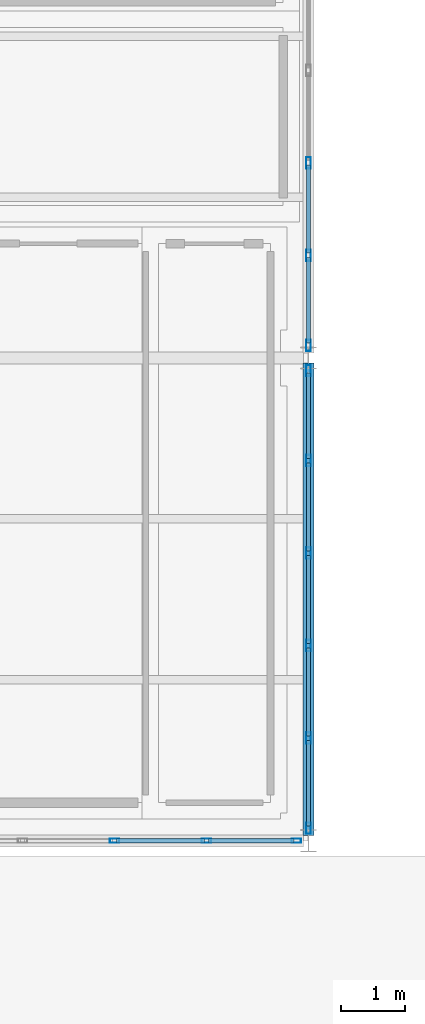
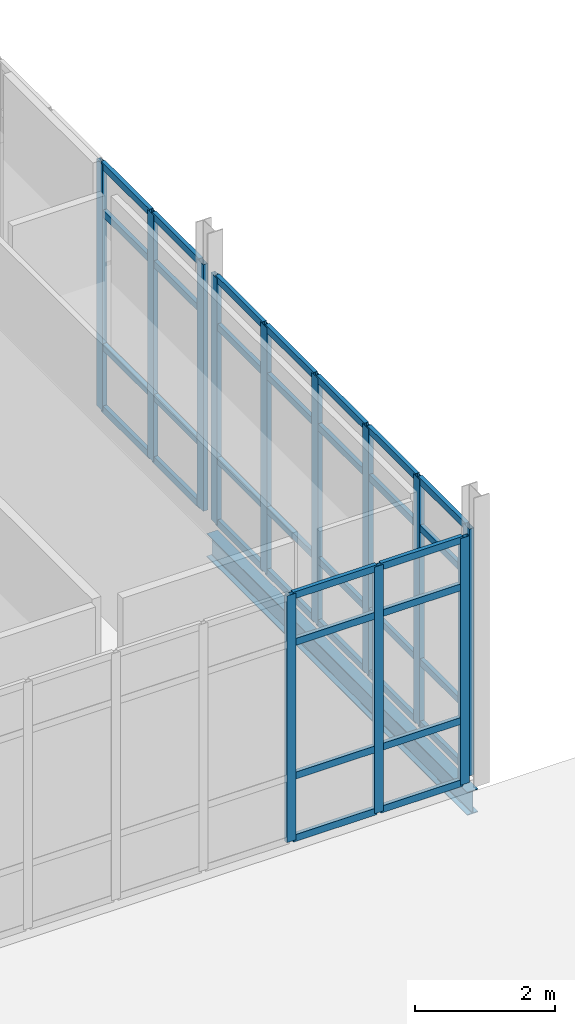
# One storey, part 69 of 161: 48 members, 1 beam, 3 elements without a shape of their own.
"""IFC4 building model written with IfcOpenShell, lengths in metres."""

from ifc_helpers import new_model, si_unit, direction, frame, origin, origin_2d, place, context, subcontext, project, spatial, hollow_rectangle, i_section, extrude, material, material_profile, profile_set, type_object, element, aggregate, save


model = new_model("IFC4")

# Units and contexts
model_context = context("Model", 3, precision=1e-05, world=origin(), true_north=direction((0.0, 1.0)))
body_context = subcontext(model_context, "Body", "Model", "MODEL_VIEW")
ifc_project = project(units=[si_unit("LENGTHUNIT", "METRE"), si_unit("AREAUNIT", "SQUARE_METRE"), si_unit("VOLUMEUNIT", "CUBIC_METRE"), si_unit("PLANEANGLEUNIT", "RADIAN"), si_unit("MASSUNIT", "GRAM", prefix="KILO")], contexts=[model_context])

# Site, building, storey
site_placement = place(None, origin())
site = spatial("IfcSite", under=ifc_project, at=site_placement, CompositionType="ELEMENT")
building_placement = place(site_placement, origin())
building = spatial("IfcBuilding", under=site, at=building_placement, Name="Caisbarro Railhouse Central Library", CompositionType="ELEMENT")
storey_placement = place(building_placement, origin())
storey = spatial("IfcBuildingStorey", under=building, at=storey_placement, Name="L00", CompositionType="ELEMENT", Elevation=0.0)

# Beam
ifc_material_1 = material(Name="Steel ASTM A572 Grade 50", Category="steel")
ifc_material_profile_1 = material_profile(ifc_material_1, i_section(OverallWidth=0.177978515625, OverallDepth=0.406982421875, WebThickness=0.0078125, FlangeThickness=0.0126953125, FilletRadius=0.01611328125, at=origin_2d()), Name="W410X60.0")
ifc_profile_set_1 = profile_set([ifc_material_profile_1], Name="Steel ASTM A572 Grade 50")
beam_type = type_object("IfcBeamType", Name="BM-G10", PredefinedType="BEAM", material=ifc_profile_set_1)
beam_placement = place(storey_placement, frame((36.0, 83.679931640625, -0.45361328125), z_axis=(0.0, 1.0, 0.0), x_axis=(-1.0, 0.0, 0.0)))
element("IfcBeam", 1, at=beam_placement, inside=storey, type_object=beam_type, Name="G10 beam L00 #417", PredefinedType="BEAM", context=body_context, shape_type="SweptSolid", body=[
    extrude(i_section(OverallWidth=0.177978515625, OverallDepth=0.406982421875, WebThickness=0.0078125, FlangeThickness=0.0126953125, FilletRadius=0.01611328125, at=origin_2d()), origin(), (0.0, 0.0, 1.0), 7.440185546875),
])

# Curtain wall, members
ifc_material_2 = material(Name="Anodised architectural aluminium", Category="aluminium")
curtain_wall_type_1 = type_object("IfcCurtainWallType", Name="CW-CW02", PredefinedType="NOTDEFINED", material=ifc_material_2)
curtain_wall_1_placement = place(storey_placement, origin())
curtain_wall_1 = element("IfcCurtainWall", 2, at=curtain_wall_1_placement, inside=storey, type_object=curtain_wall_type_1, Name="CW02 curtain wall L00 #76", PredefinedType="NOTDEFINED")
ifc_material_profile_2 = material_profile(ifc_material_2, hollow_rectangle(XDim=0.074951171875, YDim=0.179931640625, WallThickness=0.00439453125, at=origin_2d()), Name="ALU-MUL-75X180")
ifc_profile_set_2 = profile_set([ifc_material_profile_2], Name="Anodised architectural aluminium")
member_type_1 = type_object("IfcMemberType", Name="CWM-M01", PredefinedType="MULLION", material=ifc_profile_set_2)
member_1_placement = place(storey_placement, frame((36.0, 83.797607421875, 0.0), z_axis=(0.0, 0.0, 1.0), x_axis=(-1.0, 0.0, 0.0)))
member_1 = element("IfcMember", 3, at=member_1_placement, type_object=member_type_1, Name="CW02 mullion 1", PredefinedType="MULLION", context=body_context, shape_type="SweptSolid", body=[
    extrude(hollow_rectangle(XDim=0.074951171875, YDim=0.179931640625, WallThickness=0.00439453125, at=origin_2d()), origin(), (0.0, 0.0, 1.0), 4.300048828125),
])
member_2_placement = place(storey_placement, frame((36.0, 85.216064453125, 0.0), z_axis=(0.0, 0.0, 1.0), x_axis=(-1.0, 0.0, 0.0)))
member_2 = element("IfcMember", 4, at=member_2_placement, type_object=member_type_1, Name="CW02 mullion 2", PredefinedType="MULLION", context=body_context, shape_type="SweptSolid", body=[
    extrude(hollow_rectangle(XDim=0.074951171875, YDim=0.179931640625, WallThickness=0.00439453125, at=origin_2d()), origin(), (0.0, 0.0, 1.0), 4.300048828125),
])
member_3_placement = place(storey_placement, frame((36.0, 86.672119140625, 0.0), z_axis=(0.0, 0.0, 1.0), x_axis=(-1.0, 0.0, 0.0)))
member_3 = element("IfcMember", 5, at=member_3_placement, type_object=member_type_1, Name="CW02 mullion 3", PredefinedType="MULLION", context=body_context, shape_type="SweptSolid", body=[
    extrude(hollow_rectangle(XDim=0.074951171875, YDim=0.179931640625, WallThickness=0.00439453125, at=origin_2d()), origin(), (0.0, 0.0, 1.0), 4.300048828125),
])
member_4_placement = place(storey_placement, frame((36.0, 88.1279296875, 0.0), z_axis=(0.0, 0.0, 1.0), x_axis=(-1.0, 0.0, 0.0)))
member_4 = element("IfcMember", 6, at=member_4_placement, type_object=member_type_1, Name="CW02 mullion 4", PredefinedType="MULLION", context=body_context, shape_type="SweptSolid", body=[
    extrude(hollow_rectangle(XDim=0.074951171875, YDim=0.179931640625, WallThickness=0.00439453125, at=origin_2d()), origin(), (0.0, 0.0, 1.0), 4.300048828125),
])
member_5_placement = place(storey_placement, frame((36.0, 89.583984375, 0.0), z_axis=(0.0, 0.0, 1.0), x_axis=(-1.0, 0.0, 0.0)))
member_5 = element("IfcMember", 7, at=member_5_placement, type_object=member_type_1, Name="CW02 mullion 5", PredefinedType="MULLION", context=body_context, shape_type="SweptSolid", body=[
    extrude(hollow_rectangle(XDim=0.074951171875, YDim=0.179931640625, WallThickness=0.00439453125, at=origin_2d()), origin(), (0.0, 0.0, 1.0), 4.300048828125),
])
member_6_placement = place(storey_placement, frame((36.0, 91.00244140625, 0.0), z_axis=(0.0, 0.0, 1.0), x_axis=(-1.0, 0.0, 0.0)))
member_6 = element("IfcMember", 8, at=member_6_placement, type_object=member_type_1, Name="CW02 mullion 6", PredefinedType="MULLION", context=body_context, shape_type="SweptSolid", body=[
    extrude(hollow_rectangle(XDim=0.074951171875, YDim=0.179931640625, WallThickness=0.00439453125, at=origin_2d()), origin(), (0.0, 0.0, 1.0), 4.300048828125),
])

curtain_wall_2_placement = place(storey_placement, origin())
curtain_wall_2 = element("IfcCurtainWall", 9, at=curtain_wall_2_placement, inside=storey, type_object=curtain_wall_type_1, Name="CW02 curtain wall L00 #77", PredefinedType="NOTDEFINED")
member_7_placement = place(storey_placement, frame((36.0, 91.3974609375, 0.0), z_axis=(0.0, 0.0, 1.0), x_axis=(-1.0, 0.0, 0.0)))
member_7 = element("IfcMember", 10, at=member_7_placement, type_object=member_type_1, Name="CW02 mullion 1", PredefinedType="MULLION", context=body_context, shape_type="SweptSolid", body=[
    extrude(hollow_rectangle(XDim=0.074951171875, YDim=0.179931640625, WallThickness=0.00439453125, at=origin_2d()), origin(), (0.0, 0.0, 1.0), 4.300048828125),
])
member_8_placement = place(storey_placement, frame((36.0, 92.81591796875, 0.0), z_axis=(0.0, 0.0, 1.0), x_axis=(-1.0, 0.0, 0.0)))
member_8 = element("IfcMember", 11, at=member_8_placement, type_object=member_type_1, Name="CW02 mullion 2", PredefinedType="MULLION", context=body_context, shape_type="SweptSolid", body=[
    extrude(hollow_rectangle(XDim=0.074951171875, YDim=0.179931640625, WallThickness=0.00439453125, at=origin_2d()), origin(), (0.0, 0.0, 1.0), 4.300048828125),
])
member_9_placement = place(storey_placement, frame((36.0, 94.27197265625, 0.0), z_axis=(0.0, 0.0, 1.0), x_axis=(-1.0, 0.0, 0.0)))
member_9 = element("IfcMember", 12, at=member_9_placement, type_object=member_type_1, Name="CW02 mullion 3", PredefinedType="MULLION", context=body_context, shape_type="SweptSolid", body=[
    extrude(hollow_rectangle(XDim=0.074951171875, YDim=0.179931640625, WallThickness=0.00439453125, at=origin_2d()), origin(), (0.0, 0.0, 1.0), 4.300048828125),
])

curtain_wall_type_2 = type_object("IfcCurtainWallType", Name="CW-CW01", PredefinedType="NOTDEFINED", material=ifc_material_2)
curtain_wall_3_placement = place(storey_placement, origin())
curtain_wall_3 = element("IfcCurtainWall", 13, at=curtain_wall_3_placement, inside=storey, type_object=curtain_wall_type_2, Name="CW01 curtain wall L00 #75", PredefinedType="NOTDEFINED")
ifc_material_profile_3 = material_profile(ifc_material_2, hollow_rectangle(XDim=0.06494140625, YDim=0.14990234375, WallThickness=0.00390625, at=origin_2d()), Name="ALU-MUL-65X150")
ifc_profile_set_3 = profile_set([ifc_material_profile_3], Name="Anodised architectural aluminium")
member_type_2 = type_object("IfcMemberType", Name="CWM-M02", PredefinedType="MULLION", material=ifc_profile_set_3)
member_10_placement = place(storey_placement, frame((32.94677734375, 83.60009765625, 0.0), z_axis=(0.0, 0.0, 1.0), x_axis=(0.0, 1.0, 0.0)))
member_10 = element("IfcMember", 14, at=member_10_placement, type_object=member_type_2, Name="CW01 mullion 5", PredefinedType="MULLION", context=body_context, shape_type="SweptSolid", body=[
    extrude(hollow_rectangle(XDim=0.06494140625, YDim=0.14990234375, WallThickness=0.00390625, at=origin_2d()), origin(), (0.0, 0.0, 1.0), 4.300048828125),
])
member_11_placement = place(storey_placement, frame((34.393310546875, 83.60009765625, 0.0), z_axis=(0.0, 0.0, 1.0), x_axis=(0.0, 1.0, 0.0)))
member_11 = element("IfcMember", 15, at=member_11_placement, type_object=member_type_2, Name="CW01 mullion 6", PredefinedType="MULLION", context=body_context, shape_type="SweptSolid", body=[
    extrude(hollow_rectangle(XDim=0.06494140625, YDim=0.14990234375, WallThickness=0.00390625, at=origin_2d()), origin(), (0.0, 0.0, 1.0), 4.300048828125),
])
member_12_placement = place(storey_placement, frame((35.8076171875, 83.60009765625, 0.0), z_axis=(0.0, 0.0, 1.0), x_axis=(0.0, 1.0, 0.0)))
member_12 = element("IfcMember", 16, at=member_12_placement, type_object=member_type_2, Name="CW01 mullion 7", PredefinedType="MULLION", context=body_context, shape_type="SweptSolid", body=[
    extrude(hollow_rectangle(XDim=0.06494140625, YDim=0.14990234375, WallThickness=0.00390625, at=origin_2d()), origin(), (0.0, 0.0, 1.0), 4.300048828125),
])
ifc_material_profile_4 = material_profile(ifc_material_2, hollow_rectangle(XDim=0.06494140625, YDim=0.1201171875, WallThickness=0.00341796875, at=origin_2d()), Name="ALU-TRN-65X120")
ifc_profile_set_4 = profile_set([ifc_material_profile_4], Name="Anodised architectural aluminium")
member_type_3 = type_object("IfcMemberType", Name="CWT-T02", PredefinedType="USERDEFINED", material=ifc_profile_set_4)
member_13_placement = place(storey_placement, frame((32.979248046875, 83.60009765625, 0.032470703125), z_axis=(1.0, 0.0, 0.0), x_axis=(0.0, 1.0, 0.0)))
member_13 = element("IfcMember", 17, at=member_13_placement, type_object=member_type_3, Name="CW01 transom 5.1", ObjectType="TRANSOM", PredefinedType="USERDEFINED", context=body_context, shape_type="SweptSolid", body=[
    extrude(hollow_rectangle(XDim=0.06494140625, YDim=0.1201171875, WallThickness=0.00341796875, at=origin_2d()), origin(), (0.0, 0.0, 1.0), 1.381591796875),
])
member_14_placement = place(storey_placement, frame((32.979248046875, 83.60009765625, 1.1201171875), z_axis=(1.0, 0.0, 0.0), x_axis=(0.0, 1.0, 0.0)))
member_14 = element("IfcMember", 18, at=member_14_placement, type_object=member_type_3, Name="CW01 transom 5.2", ObjectType="TRANSOM", PredefinedType="USERDEFINED", context=body_context, shape_type="SweptSolid", body=[
    extrude(hollow_rectangle(XDim=0.06494140625, YDim=0.1201171875, WallThickness=0.00341796875, at=origin_2d()), origin(), (0.0, 0.0, 1.0), 1.381591796875),
])
member_15_placement = place(storey_placement, frame((32.979248046875, 83.60009765625, 3.449951171875), z_axis=(1.0, 0.0, 0.0), x_axis=(0.0, 1.0, 0.0)))
member_15 = element("IfcMember", 19, at=member_15_placement, type_object=member_type_3, Name="CW01 transom 5.3", ObjectType="TRANSOM", PredefinedType="USERDEFINED", context=body_context, shape_type="SweptSolid", body=[
    extrude(hollow_rectangle(XDim=0.06494140625, YDim=0.1201171875, WallThickness=0.00341796875, at=origin_2d()), origin(), (0.0, 0.0, 1.0), 1.381591796875),
])
member_16_placement = place(storey_placement, frame((32.979248046875, 83.60009765625, 4.267578125), z_axis=(1.0, 0.0, 0.0), x_axis=(0.0, 1.0, 0.0)))
member_16 = element("IfcMember", 20, at=member_16_placement, type_object=member_type_3, Name="CW01 transom 5.4", ObjectType="TRANSOM", PredefinedType="USERDEFINED", context=body_context, shape_type="SweptSolid", body=[
    extrude(hollow_rectangle(XDim=0.06494140625, YDim=0.1201171875, WallThickness=0.00341796875, at=origin_2d()), origin(), (0.0, 0.0, 1.0), 1.381591796875),
])
member_17_placement = place(storey_placement, frame((34.42578125, 83.60009765625, 0.032470703125), z_axis=(1.0, 0.0, 0.0), x_axis=(0.0, 1.0, 0.0)))
member_17 = element("IfcMember", 21, at=member_17_placement, type_object=member_type_3, Name="CW01 transom 6.1", ObjectType="TRANSOM", PredefinedType="USERDEFINED", context=body_context, shape_type="SweptSolid", body=[
    extrude(hollow_rectangle(XDim=0.06494140625, YDim=0.1201171875, WallThickness=0.00341796875, at=origin_2d()), origin(), (0.0, 0.0, 1.0), 1.34912109375),
])
member_18_placement = place(storey_placement, frame((34.42578125, 83.60009765625, 1.1201171875), z_axis=(1.0, 0.0, 0.0), x_axis=(0.0, 1.0, 0.0)))
member_18 = element("IfcMember", 22, at=member_18_placement, type_object=member_type_3, Name="CW01 transom 6.2", ObjectType="TRANSOM", PredefinedType="USERDEFINED", context=body_context, shape_type="SweptSolid", body=[
    extrude(hollow_rectangle(XDim=0.06494140625, YDim=0.1201171875, WallThickness=0.00341796875, at=origin_2d()), origin(), (0.0, 0.0, 1.0), 1.34912109375),
])
member_19_placement = place(storey_placement, frame((34.42578125, 83.60009765625, 3.449951171875), z_axis=(1.0, 0.0, 0.0), x_axis=(0.0, 1.0, 0.0)))
member_19 = element("IfcMember", 23, at=member_19_placement, type_object=member_type_3, Name="CW01 transom 6.3", ObjectType="TRANSOM", PredefinedType="USERDEFINED", context=body_context, shape_type="SweptSolid", body=[
    extrude(hollow_rectangle(XDim=0.06494140625, YDim=0.1201171875, WallThickness=0.00341796875, at=origin_2d()), origin(), (0.0, 0.0, 1.0), 1.34912109375),
])
member_20_placement = place(storey_placement, frame((34.42578125, 83.60009765625, 4.267578125), z_axis=(1.0, 0.0, 0.0), x_axis=(0.0, 1.0, 0.0)))
member_20 = element("IfcMember", 24, at=member_20_placement, type_object=member_type_3, Name="CW01 transom 6.4", ObjectType="TRANSOM", PredefinedType="USERDEFINED", context=body_context, shape_type="SweptSolid", body=[
    extrude(hollow_rectangle(XDim=0.06494140625, YDim=0.1201171875, WallThickness=0.00341796875, at=origin_2d()), origin(), (0.0, 0.0, 1.0), 1.34912109375),
])
aggregate(curtain_wall_3, [member_10, member_11, member_12, member_13, member_14, member_15, member_16, member_17, member_18, member_19, member_20])

# Member
member_21_placement = place(storey_placement, frame((36.0, 83.8349609375, 0.032470703125), z_axis=(0.0, 1.0, 0.0), x_axis=(-1.0, 0.0, 0.0)))
member_21 = element("IfcMember", 25, at=member_21_placement, type_object=member_type_3, Name="CW02 transom 1.1", ObjectType="TRANSOM", PredefinedType="USERDEFINED", context=body_context, shape_type="SweptSolid", body=[
    extrude(hollow_rectangle(XDim=0.06494140625, YDim=0.1201171875, WallThickness=0.00341796875, at=origin_2d()), origin(), (0.0, 0.0, 1.0), 1.343505859375),
])

member_22_placement = place(storey_placement, frame((36.0, 83.8349609375, 1.1201171875), z_axis=(0.0, 1.0, 0.0), x_axis=(-1.0, 0.0, 0.0)))
member_22 = element("IfcMember", 26, at=member_22_placement, type_object=member_type_3, Name="CW02 transom 1.2", ObjectType="TRANSOM", PredefinedType="USERDEFINED", context=body_context, shape_type="SweptSolid", body=[
    extrude(hollow_rectangle(XDim=0.06494140625, YDim=0.1201171875, WallThickness=0.00341796875, at=origin_2d()), origin(), (0.0, 0.0, 1.0), 1.343505859375),
])

member_23_placement = place(storey_placement, frame((36.0, 83.8349609375, 3.449951171875), z_axis=(0.0, 1.0, 0.0), x_axis=(-1.0, 0.0, 0.0)))
member_23 = element("IfcMember", 27, at=member_23_placement, type_object=member_type_3, Name="CW02 transom 1.3", ObjectType="TRANSOM", PredefinedType="USERDEFINED", context=body_context, shape_type="SweptSolid", body=[
    extrude(hollow_rectangle(XDim=0.06494140625, YDim=0.1201171875, WallThickness=0.00341796875, at=origin_2d()), origin(), (0.0, 0.0, 1.0), 1.343505859375),
])

member_24_placement = place(storey_placement, frame((36.0, 83.8349609375, 4.267578125), z_axis=(0.0, 1.0, 0.0), x_axis=(-1.0, 0.0, 0.0)))
member_24 = element("IfcMember", 28, at=member_24_placement, type_object=member_type_3, Name="CW02 transom 1.4", ObjectType="TRANSOM", PredefinedType="USERDEFINED", context=body_context, shape_type="SweptSolid", body=[
    extrude(hollow_rectangle(XDim=0.06494140625, YDim=0.1201171875, WallThickness=0.00341796875, at=origin_2d()), origin(), (0.0, 0.0, 1.0), 1.343505859375),
])

member_25_placement = place(storey_placement, frame((36.0, 85.25341796875, 0.032470703125), z_axis=(0.0, 1.0, 0.0), x_axis=(-1.0, 0.0, 0.0)))
member_25 = element("IfcMember", 29, at=member_25_placement, type_object=member_type_3, Name="CW02 transom 2.1", ObjectType="TRANSOM", PredefinedType="USERDEFINED", context=body_context, shape_type="SweptSolid", body=[
    extrude(hollow_rectangle(XDim=0.06494140625, YDim=0.1201171875, WallThickness=0.00341796875, at=origin_2d()), origin(), (0.0, 0.0, 1.0), 1.381103515625),
])

member_26_placement = place(storey_placement, frame((36.0, 85.25341796875, 1.1201171875), z_axis=(0.0, 1.0, 0.0), x_axis=(-1.0, 0.0, 0.0)))
member_26 = element("IfcMember", 30, at=member_26_placement, type_object=member_type_3, Name="CW02 transom 2.2", ObjectType="TRANSOM", PredefinedType="USERDEFINED", context=body_context, shape_type="SweptSolid", body=[
    extrude(hollow_rectangle(XDim=0.06494140625, YDim=0.1201171875, WallThickness=0.00341796875, at=origin_2d()), origin(), (0.0, 0.0, 1.0), 1.381103515625),
])

member_27_placement = place(storey_placement, frame((36.0, 85.25341796875, 3.449951171875), z_axis=(0.0, 1.0, 0.0), x_axis=(-1.0, 0.0, 0.0)))
member_27 = element("IfcMember", 31, at=member_27_placement, type_object=member_type_3, Name="CW02 transom 2.3", ObjectType="TRANSOM", PredefinedType="USERDEFINED", context=body_context, shape_type="SweptSolid", body=[
    extrude(hollow_rectangle(XDim=0.06494140625, YDim=0.1201171875, WallThickness=0.00341796875, at=origin_2d()), origin(), (0.0, 0.0, 1.0), 1.381103515625),
])

member_28_placement = place(storey_placement, frame((36.0, 85.25341796875, 4.267578125), z_axis=(0.0, 1.0, 0.0), x_axis=(-1.0, 0.0, 0.0)))
member_28 = element("IfcMember", 32, at=member_28_placement, type_object=member_type_3, Name="CW02 transom 2.4", ObjectType="TRANSOM", PredefinedType="USERDEFINED", context=body_context, shape_type="SweptSolid", body=[
    extrude(hollow_rectangle(XDim=0.06494140625, YDim=0.1201171875, WallThickness=0.00341796875, at=origin_2d()), origin(), (0.0, 0.0, 1.0), 1.381103515625),
])

member_29_placement = place(storey_placement, frame((36.0, 86.70947265625, 0.032470703125), z_axis=(0.0, 1.0, 0.0), x_axis=(-1.0, 0.0, 0.0)))
member_29 = element("IfcMember", 33, at=member_29_placement, type_object=member_type_3, Name="CW02 transom 3.1", ObjectType="TRANSOM", PredefinedType="USERDEFINED", context=body_context, shape_type="SweptSolid", body=[
    extrude(hollow_rectangle(XDim=0.06494140625, YDim=0.1201171875, WallThickness=0.00341796875, at=origin_2d()), origin(), (0.0, 0.0, 1.0), 1.381103515625),
])

member_30_placement = place(storey_placement, frame((36.0, 86.70947265625, 1.1201171875), z_axis=(0.0, 1.0, 0.0), x_axis=(-1.0, 0.0, 0.0)))
member_30 = element("IfcMember", 34, at=member_30_placement, type_object=member_type_3, Name="CW02 transom 3.2", ObjectType="TRANSOM", PredefinedType="USERDEFINED", context=body_context, shape_type="SweptSolid", body=[
    extrude(hollow_rectangle(XDim=0.06494140625, YDim=0.1201171875, WallThickness=0.00341796875, at=origin_2d()), origin(), (0.0, 0.0, 1.0), 1.381103515625),
])

member_31_placement = place(storey_placement, frame((36.0, 86.70947265625, 3.449951171875), z_axis=(0.0, 1.0, 0.0), x_axis=(-1.0, 0.0, 0.0)))
member_31 = element("IfcMember", 35, at=member_31_placement, type_object=member_type_3, Name="CW02 transom 3.3", ObjectType="TRANSOM", PredefinedType="USERDEFINED", context=body_context, shape_type="SweptSolid", body=[
    extrude(hollow_rectangle(XDim=0.06494140625, YDim=0.1201171875, WallThickness=0.00341796875, at=origin_2d()), origin(), (0.0, 0.0, 1.0), 1.381103515625),
])

member_32_placement = place(storey_placement, frame((36.0, 86.70947265625, 4.267578125), z_axis=(0.0, 1.0, 0.0), x_axis=(-1.0, 0.0, 0.0)))
member_32 = element("IfcMember", 36, at=member_32_placement, type_object=member_type_3, Name="CW02 transom 3.4", ObjectType="TRANSOM", PredefinedType="USERDEFINED", context=body_context, shape_type="SweptSolid", body=[
    extrude(hollow_rectangle(XDim=0.06494140625, YDim=0.1201171875, WallThickness=0.00341796875, at=origin_2d()), origin(), (0.0, 0.0, 1.0), 1.381103515625),
])

member_33_placement = place(storey_placement, frame((36.0, 88.16552734375, 0.032470703125), z_axis=(0.0, 1.0, 0.0), x_axis=(-1.0, 0.0, 0.0)))
member_33 = element("IfcMember", 37, at=member_33_placement, type_object=member_type_3, Name="CW02 transom 4.1", ObjectType="TRANSOM", PredefinedType="USERDEFINED", context=body_context, shape_type="SweptSolid", body=[
    extrude(hollow_rectangle(XDim=0.06494140625, YDim=0.1201171875, WallThickness=0.00341796875, at=origin_2d()), origin(), (0.0, 0.0, 1.0), 1.380859375),
])

member_34_placement = place(storey_placement, frame((36.0, 88.16552734375, 1.1201171875), z_axis=(0.0, 1.0, 0.0), x_axis=(-1.0, 0.0, 0.0)))
member_34 = element("IfcMember", 38, at=member_34_placement, type_object=member_type_3, Name="CW02 transom 4.2", ObjectType="TRANSOM", PredefinedType="USERDEFINED", context=body_context, shape_type="SweptSolid", body=[
    extrude(hollow_rectangle(XDim=0.06494140625, YDim=0.1201171875, WallThickness=0.00341796875, at=origin_2d()), origin(), (0.0, 0.0, 1.0), 1.380859375),
])

member_35_placement = place(storey_placement, frame((36.0, 88.16552734375, 3.449951171875), z_axis=(0.0, 1.0, 0.0), x_axis=(-1.0, 0.0, 0.0)))
member_35 = element("IfcMember", 39, at=member_35_placement, type_object=member_type_3, Name="CW02 transom 4.3", ObjectType="TRANSOM", PredefinedType="USERDEFINED", context=body_context, shape_type="SweptSolid", body=[
    extrude(hollow_rectangle(XDim=0.06494140625, YDim=0.1201171875, WallThickness=0.00341796875, at=origin_2d()), origin(), (0.0, 0.0, 1.0), 1.380859375),
])

member_36_placement = place(storey_placement, frame((36.0, 88.16552734375, 4.267578125), z_axis=(0.0, 1.0, 0.0), x_axis=(-1.0, 0.0, 0.0)))
member_36 = element("IfcMember", 40, at=member_36_placement, type_object=member_type_3, Name="CW02 transom 4.4", ObjectType="TRANSOM", PredefinedType="USERDEFINED", context=body_context, shape_type="SweptSolid", body=[
    extrude(hollow_rectangle(XDim=0.06494140625, YDim=0.1201171875, WallThickness=0.00341796875, at=origin_2d()), origin(), (0.0, 0.0, 1.0), 1.380859375),
])

member_37_placement = place(storey_placement, frame((36.0, 89.62158203125, 0.032470703125), z_axis=(0.0, 1.0, 0.0), x_axis=(-1.0, 0.0, 0.0)))
member_37 = element("IfcMember", 41, at=member_37_placement, type_object=member_type_3, Name="CW02 transom 5.1", ObjectType="TRANSOM", PredefinedType="USERDEFINED", context=body_context, shape_type="SweptSolid", body=[
    extrude(hollow_rectangle(XDim=0.06494140625, YDim=0.1201171875, WallThickness=0.00341796875, at=origin_2d()), origin(), (0.0, 0.0, 1.0), 1.343505859375),
])

member_38_placement = place(storey_placement, frame((36.0, 89.62158203125, 1.1201171875), z_axis=(0.0, 1.0, 0.0), x_axis=(-1.0, 0.0, 0.0)))
member_38 = element("IfcMember", 42, at=member_38_placement, type_object=member_type_3, Name="CW02 transom 5.2", ObjectType="TRANSOM", PredefinedType="USERDEFINED", context=body_context, shape_type="SweptSolid", body=[
    extrude(hollow_rectangle(XDim=0.06494140625, YDim=0.1201171875, WallThickness=0.00341796875, at=origin_2d()), origin(), (0.0, 0.0, 1.0), 1.343505859375),
])

member_39_placement = place(storey_placement, frame((36.0, 89.62158203125, 3.449951171875), z_axis=(0.0, 1.0, 0.0), x_axis=(-1.0, 0.0, 0.0)))
member_39 = element("IfcMember", 43, at=member_39_placement, type_object=member_type_3, Name="CW02 transom 5.3", ObjectType="TRANSOM", PredefinedType="USERDEFINED", context=body_context, shape_type="SweptSolid", body=[
    extrude(hollow_rectangle(XDim=0.06494140625, YDim=0.1201171875, WallThickness=0.00341796875, at=origin_2d()), origin(), (0.0, 0.0, 1.0), 1.343505859375),
])

member_40_placement = place(storey_placement, frame((36.0, 89.62158203125, 4.267578125), z_axis=(0.0, 1.0, 0.0), x_axis=(-1.0, 0.0, 0.0)))
member_40 = element("IfcMember", 44, at=member_40_placement, type_object=member_type_3, Name="CW02 transom 5.4", ObjectType="TRANSOM", PredefinedType="USERDEFINED", context=body_context, shape_type="SweptSolid", body=[
    extrude(hollow_rectangle(XDim=0.06494140625, YDim=0.1201171875, WallThickness=0.00341796875, at=origin_2d()), origin(), (0.0, 0.0, 1.0), 1.343505859375),
])

aggregate(curtain_wall_1, [member_1, member_2, member_3, member_4, member_5, member_6, member_21, member_22, member_23, member_24, member_25, member_26, member_27, member_28, member_29, member_30, member_31, member_32, member_33, member_34, member_35, member_36, member_37, member_38, member_39, member_40])

member_41_placement = place(storey_placement, frame((36.0, 91.43505859375, 0.032470703125), z_axis=(0.0, 1.0, 0.0), x_axis=(-1.0, 0.0, 0.0)))
member_41 = element("IfcMember", 45, at=member_41_placement, type_object=member_type_3, Name="CW02 transom 1.1", ObjectType="TRANSOM", PredefinedType="USERDEFINED", context=body_context, shape_type="SweptSolid", body=[
    extrude(hollow_rectangle(XDim=0.06494140625, YDim=0.1201171875, WallThickness=0.00341796875, at=origin_2d()), origin(), (0.0, 0.0, 1.0), 1.343505859375),
])

member_42_placement = place(storey_placement, frame((36.0, 91.43505859375, 1.1201171875), z_axis=(0.0, 1.0, 0.0), x_axis=(-1.0, 0.0, 0.0)))
member_42 = element("IfcMember", 46, at=member_42_placement, type_object=member_type_3, Name="CW02 transom 1.2", ObjectType="TRANSOM", PredefinedType="USERDEFINED", context=body_context, shape_type="SweptSolid", body=[
    extrude(hollow_rectangle(XDim=0.06494140625, YDim=0.1201171875, WallThickness=0.00341796875, at=origin_2d()), origin(), (0.0, 0.0, 1.0), 1.343505859375),
])

member_43_placement = place(storey_placement, frame((36.0, 91.43505859375, 3.449951171875), z_axis=(0.0, 1.0, 0.0), x_axis=(-1.0, 0.0, 0.0)))
member_43 = element("IfcMember", 47, at=member_43_placement, type_object=member_type_3, Name="CW02 transom 1.3", ObjectType="TRANSOM", PredefinedType="USERDEFINED", context=body_context, shape_type="SweptSolid", body=[
    extrude(hollow_rectangle(XDim=0.06494140625, YDim=0.1201171875, WallThickness=0.00341796875, at=origin_2d()), origin(), (0.0, 0.0, 1.0), 1.343505859375),
])

member_44_placement = place(storey_placement, frame((36.0, 91.43505859375, 4.267578125), z_axis=(0.0, 1.0, 0.0), x_axis=(-1.0, 0.0, 0.0)))
member_44 = element("IfcMember", 48, at=member_44_placement, type_object=member_type_3, Name="CW02 transom 1.4", ObjectType="TRANSOM", PredefinedType="USERDEFINED", context=body_context, shape_type="SweptSolid", body=[
    extrude(hollow_rectangle(XDim=0.06494140625, YDim=0.1201171875, WallThickness=0.00341796875, at=origin_2d()), origin(), (0.0, 0.0, 1.0), 1.343505859375),
])

member_45_placement = place(storey_placement, frame((36.0, 92.853515625, 0.032470703125), z_axis=(0.0, 1.0, 0.0), x_axis=(-1.0, 0.0, 0.0)))
member_45 = element("IfcMember", 49, at=member_45_placement, type_object=member_type_3, Name="CW02 transom 2.1", ObjectType="TRANSOM", PredefinedType="USERDEFINED", context=body_context, shape_type="SweptSolid", body=[
    extrude(hollow_rectangle(XDim=0.06494140625, YDim=0.1201171875, WallThickness=0.00341796875, at=origin_2d()), origin(), (0.0, 0.0, 1.0), 1.381103515625),
])

member_46_placement = place(storey_placement, frame((36.0, 92.853515625, 1.1201171875), z_axis=(0.0, 1.0, 0.0), x_axis=(-1.0, 0.0, 0.0)))
member_46 = element("IfcMember", 50, at=member_46_placement, type_object=member_type_3, Name="CW02 transom 2.2", ObjectType="TRANSOM", PredefinedType="USERDEFINED", context=body_context, shape_type="SweptSolid", body=[
    extrude(hollow_rectangle(XDim=0.06494140625, YDim=0.1201171875, WallThickness=0.00341796875, at=origin_2d()), origin(), (0.0, 0.0, 1.0), 1.381103515625),
])

member_47_placement = place(storey_placement, frame((36.0, 92.853515625, 3.449951171875), z_axis=(0.0, 1.0, 0.0), x_axis=(-1.0, 0.0, 0.0)))
member_47 = element("IfcMember", 51, at=member_47_placement, type_object=member_type_3, Name="CW02 transom 2.3", ObjectType="TRANSOM", PredefinedType="USERDEFINED", context=body_context, shape_type="SweptSolid", body=[
    extrude(hollow_rectangle(XDim=0.06494140625, YDim=0.1201171875, WallThickness=0.00341796875, at=origin_2d()), origin(), (0.0, 0.0, 1.0), 1.381103515625),
])

member_48_placement = place(storey_placement, frame((36.0, 92.853515625, 4.267578125), z_axis=(0.0, 1.0, 0.0), x_axis=(-1.0, 0.0, 0.0)))
member_48 = element("IfcMember", 52, at=member_48_placement, type_object=member_type_3, Name="CW02 transom 2.4", ObjectType="TRANSOM", PredefinedType="USERDEFINED", context=body_context, shape_type="SweptSolid", body=[
    extrude(hollow_rectangle(XDim=0.06494140625, YDim=0.1201171875, WallThickness=0.00341796875, at=origin_2d()), origin(), (0.0, 0.0, 1.0), 1.381103515625),
])

aggregate(curtain_wall_2, [member_7, member_8, member_9, member_41, member_42, member_43, member_44, member_45, member_46, member_47, member_48])

save(model, "model.ifc")
